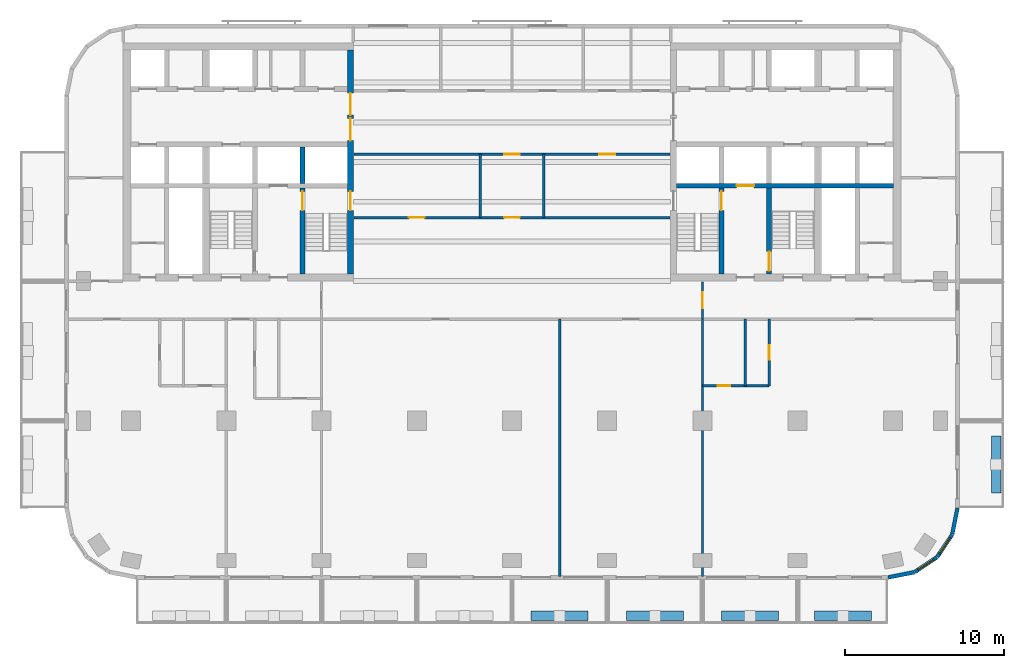
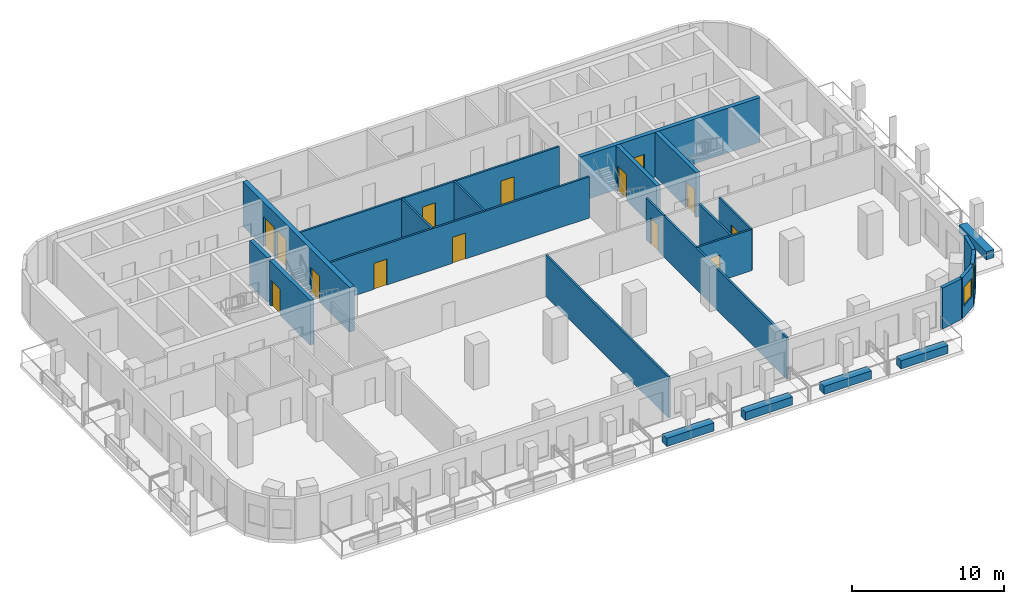
# One storey, part 4 of 11: 25 walls, 14 doors, 2 windows, 16 openings.
"""IFC4 building model written with IfcOpenShell, lengths in metres."""

import ifcopenshell
import ifcopenshell.guid

model = None  # the IFC model being written
_history = None  # IfcOwnerHistory: only IFC2X3 demands one
_inside = {}  # id of a spatial element -> (the spatial element, [elements in it])
_under = {}  # id of a project, library or spatial element -> (it, [spatial elements below it])
_declared = {}  # id of a project -> (the project, [libraries it declares])
_typed = {}  # id of a type object -> (the type object, [elements of that type])
_made_of = {}  # id of a material, layer set ... -> (it, [elements and type objects made of it])


def new_model(schema):
    """Start an empty IFC model of exactly this schema.

    Asked for "IFC4X3", IfcOpenShell would pick the latest addendum, in which some entities
    have other attributes; the version numbers below select the first issue.
    IFC2X3 requires an IfcOwnerHistory on every rooted entity: one is made here for all.
    """
    global model, _history
    if schema == "IFC4X3":
        model = ifcopenshell.file(schema_version=(4, 3, 0, 0))
    else:
        model = ifcopenshell.file(schema=schema)
    _inside.clear()
    _under.clear()
    _declared.clear()
    _typed.clear()
    _made_of.clear()
    _history = None
    if model.schema == "IFC2X3":
        org = make("IfcOrganization", Name="unknown")
        user = make(
            "IfcPersonAndOrganization",
            ThePerson=make("IfcPerson", FamilyName="unknown"),
            TheOrganization=org,
        )
        app = make(
            "IfcApplication",
            ApplicationDeveloper=org,
            Version="unknown",
            ApplicationFullName="unknown",
            ApplicationIdentifier="unknown",
        )
        _history = make(
            "IfcOwnerHistory",
            OwningUser=user,
            OwningApplication=app,
            ChangeAction="ADDED",
            CreationDate=0,
        )
    return model


def make(cls, **values):
    """One entity of the class cls with the attributes given. An attribute that is None is left unset."""
    return model.create_entity(
        cls, **{name: value for name, value in values.items() if value is not None}
    )


def rooted(cls, **values):
    """An entity with a GlobalId (a new one), such as an element, a storey or a relation."""
    return make(cls, GlobalId=ifcopenshell.guid.new(), OwnerHistory=_history, **values)


def si_unit(unit_type, name, prefix=None):
    """IfcSIUnit, for example si_unit("LENGTHUNIT", "METRE", prefix="MILLI")."""
    return make("IfcSIUnit", UnitType=unit_type, Prefix=prefix, Name=name)


def assignment(units):
    """IfcUnitAssignment: the units of a project."""
    return None if units is None else make("IfcUnitAssignment", Units=units)


def point(xyz):
    """IfcCartesianPoint."""
    return None if xyz is None else make("IfcCartesianPoint", Coordinates=xyz)


def direction(xyz):
    """IfcDirection."""
    return None if xyz is None else make("IfcDirection", DirectionRatios=xyz)


def frame(location, z_axis=None, x_axis=None):
    """IfcAxis2Placement3D, a coordinate frame: its origin and axes. An axis left out is left unset."""
    return make(
        "IfcAxis2Placement3D",
        Location=point(location),
        Axis=direction(z_axis),
        RefDirection=direction(x_axis),
    )


def frame_2d(location, x_axis=None):
    """IfcAxis2Placement2D, a coordinate frame in the plane: its origin and x axis."""
    return make(
        "IfcAxis2Placement2D", Location=point(location), RefDirection=direction(x_axis)
    )


def origin():
    """The frame at (0, 0, 0) with its axes left unset."""
    return frame((0.0, 0.0, 0.0))


def place(relative_to, where):
    """IfcLocalPlacement: puts the frame where relative to a parent placement (None: the world)."""
    return make(
        "IfcLocalPlacement", PlacementRelTo=relative_to, RelativePlacement=where
    )


def context(
    kind, dimensions, precision=None, world=None, true_north=None, identifier=None
):
    """IfcGeometricRepresentationContext, for example the 3D "Model" context."""
    return make(
        "IfcGeometricRepresentationContext",
        ContextIdentifier=identifier,
        ContextType=kind,
        CoordinateSpaceDimension=dimensions,
        Precision=precision,
        WorldCoordinateSystem=world,
        TrueNorth=true_north,
    )


def subcontext(parent, identifier, kind, view, scale=None):
    """IfcGeometricRepresentationSubContext, for example "Body" below "Model"."""
    return make(
        "IfcGeometricRepresentationSubContext",
        ContextIdentifier=identifier,
        ContextType=kind,
        ParentContext=parent,
        TargetScale=scale,
        TargetView=view,
    )


def project(units=None, contexts=None):
    """IfcProject with its units and contexts."""
    return rooted(
        "IfcProject",
        Name="project",
        RepresentationContexts=contexts,
        UnitsInContext=assignment(units),
    )


def spatial(cls, under=None, at=None, **own):
    """A site, building, storey or space (cls), placed at a placement, below another one or the project."""
    s = rooted(cls, ObjectPlacement=at, **own)
    if under is not None:
        _under.setdefault(under.id(), (under, []))[1].append(s)
    return s


def profile(cls, at=None, kind="AREA", **sizes):
    """A parametric profile (cls). Its sizes go by their IFC names, for example OverallWidth=200.0."""
    return make(cls, ProfileType=kind, Position=at, **sizes)


def rectangle(**sizes):
    """IfcRectangleProfileDef."""
    return profile("IfcRectangleProfileDef", **sizes)


def extrude(swept, where, along, depth):
    """IfcExtrudedAreaSolid: the profile swept, set in the frame where, extruded along a direction by depth."""
    return make(
        "IfcExtrudedAreaSolid",
        SweptArea=swept,
        Position=where,
        ExtrudedDirection=direction(along),
        Depth=depth,
    )


def shape(context_of_items, identifier, shape_type, items):
    """IfcShapeRepresentation: the items that make up one representation, for example the "Body"."""
    return make(
        "IfcShapeRepresentation",
        ContextOfItems=context_of_items,
        RepresentationIdentifier=identifier,
        RepresentationType=shape_type,
        Items=items,
    )


def material(Name=None, Category=None):
    """IfcMaterial."""
    return make("IfcMaterial", Name=Name, Category=Category)


def layer(
    of_material, thickness, ventilated=None, Name=None, Category=None, Priority=None
):
    """IfcMaterialLayer: one layer of a wall or slab, of a material (None: an air gap)."""
    return make(
        "IfcMaterialLayer",
        Material=of_material,
        LayerThickness=thickness,
        IsVentilated=ventilated,
        Name=Name,
        Category=Category,
        Priority=Priority,
    )


def layer_set(layers, Name=None):
    """IfcMaterialLayerSet."""
    return make("IfcMaterialLayerSet", MaterialLayers=layers, LayerSetName=Name)


def made_of(thing, what):
    """Note that an element or type object is made of a material, layer set ...; save() writes the relation."""
    if what is not None:
        _made_of.setdefault(what.id(), (what, []))[1].append(thing)
    return thing


def type_object(cls, material=None, **own):
    """A type object (cls), such as IfcWallType, which elements share."""
    return made_of(rooted(cls, **own), material)


def element(
    cls,
    number,
    at=None,
    inside=None,
    cuts=None,
    type_object=None,
    material=None,
    context=None,
    identifier="Body",
    shape_type=None,
    held_by="IfcProductDefinitionShape",
    body=None,
    shapes=None,
    **own,
):
    """One element of the class cls, such as IfcWall. Its Tag is "e" and its number.

    at: its placement. inside: the storey or other place that contains it. cuts: it is an
    opening in that element (IfcRelVoidsElement). A single representation is given by context,
    identifier, shape_type and body (its items); several are given by shapes. held_by: the class
    of the entity that holds the representations. save() writes the other relations.
    """
    e = rooted(cls, Tag="e%d" % number, ObjectPlacement=at, **own)
    if body is not None:
        shapes = [shape(context, identifier, shape_type, body)]
    if shapes is not None:
        e.Representation = make(held_by, Representations=shapes)
    if inside is not None:
        _inside.setdefault(inside.id(), (inside, []))[1].append(e)
    if cuts is not None:
        rooted(
            "IfcRelVoidsElement", RelatingBuildingElement=cuts, RelatedOpeningElement=e
        )
    if type_object is not None:
        _typed.setdefault(type_object.id(), (type_object, []))[1].append(e)
    return made_of(e, material)


def fill(opening, filler):
    """IfcRelFillsElement: the door or window that sits in an opening."""
    return rooted(
        "IfcRelFillsElement",
        RelatingOpeningElement=opening,
        RelatedBuildingElement=filler,
    )


def aggregate(whole, parts):
    """IfcRelAggregates: a whole, such as a stair, and the parts it consists of."""
    return rooted("IfcRelAggregates", RelatingObject=whole, RelatedObjects=parts)


def save(model, path):
    """Write the relations noted so far, then the file.

    IfcRelAggregates (storeys below a building ...), IfcRelContainedInSpatialStructure (elements
    in a storey), IfcRelDefinesByType, IfcRelAssociatesMaterial and IfcRelDeclares: one each for
    every whole, place, type object, material and project.
    """
    for whole, parts in _under.values():
        aggregate(whole, parts)
    for where, things in _inside.values():
        rooted(
            "IfcRelContainedInSpatialStructure",
            RelatedElements=things,
            RelatingStructure=where,
        )
    for kind, things in _typed.values():
        rooted("IfcRelDefinesByType", RelatedObjects=things, RelatingType=kind)
    for what, things in _made_of.values():
        rooted("IfcRelAssociatesMaterial", RelatedObjects=things, RelatingMaterial=what)
    for by, libraries in _declared.values():
        rooted("IfcRelDeclares", RelatingContext=by, RelatedDefinitions=libraries)
    model.write(path)


model = new_model("IFC4")

# Units and contexts
model_context = context("Model", 3, precision=1e-05, world=origin(), true_north=direction((0.0, 1.0)))
body_context = subcontext(model_context, "Body", "Model", "MODEL_VIEW")
ifc_project = project(units=[si_unit("LENGTHUNIT", "METRE"), si_unit("AREAUNIT", "SQUARE_METRE"), si_unit("VOLUMEUNIT", "CUBIC_METRE"), si_unit("PLANEANGLEUNIT", "RADIAN"), si_unit("MASSUNIT", "GRAM", prefix="KILO")], contexts=[model_context])

# Site, building, storey
site_placement = place(None, origin())
site = spatial("IfcSite", under=ifc_project, at=site_placement, CompositionType="ELEMENT")
building_placement = place(site_placement, origin())
building = spatial("IfcBuilding", under=site, at=building_placement, Name="Torana Hotel and Residences", CompositionType="ELEMENT")
storey_placement = place(building_placement, frame((0.0, 0.0, 174.0)))
storey = spatial("IfcBuildingStorey", under=building, at=storey_placement, Name="L45", CompositionType="ELEMENT", Elevation=174.0)

# Wall
ifc_material_1 = material(Name="Concrete C70/85", Category="concrete")
ifc_layer_1 = layer(ifc_material_1, 0.300048828125)
ifc_layer_set_1 = layer_set([ifc_layer_1], Name="CORE WALL 300 C70/85")
wall_type_1 = type_object("IfcWallType", Name="CORE WALL 300 C70/85", PredefinedType="SHEAR", material=ifc_layer_set_1)
wall_1_placement = place(storey_placement, frame((-13.199951171875, -8.85009765625, 0.0), z_axis=(0.0, 0.0, 1.0), x_axis=(0.0, 1.0, 0.0)))
element("IfcWall", 1, at=wall_1_placement, inside=storey, type_object=wall_type_1, Name="Core wall W x3.05-S", PredefinedType="SHEAR", context=body_context, shape_type="SweptSolid", body=[
    extrude(rectangle(XDim=2.300048828125, YDim=0.300048828125, at=frame_2d((1.14990234375, 0.0))), origin(), (0.0, 0.0, 1.0), 3.60009765625),
])

# Wall, opening, door
wall_2_placement = place(storey_placement, frame((-13.199951171875, -14.550048828125, 0.0), z_axis=(0.0, 0.0, 1.0), x_axis=(0.0, 1.0, 0.0)))
wall_2 = element("IfcWall", 2, at=wall_2_placement, inside=storey, type_object=wall_type_1, Name="Core wall W x3.05-band", PredefinedType="SHEAR", context=body_context, shape_type="SweptSolid", body=[
    extrude(rectangle(XDim=5.400146484375, YDim=0.300048828125, at=frame_2d((2.7001953125, 0.0))), origin(), (0.0, 0.0, 1.0), 3.60009765625),
])
opening_1_placement = place(wall_2_placement, frame((4.0, 0.0, 0.0)))
opening_1 = element("IfcOpeningElement", 3, at=opening_1_placement, cuts=wall_2, Name="Opening L45-13", PredefinedType="OPENING", context=body_context, shape_type="SweptSolid", body=[
    extrude(rectangle(XDim=1.199951171875, YDim=2.10009765625, at=frame_2d((0.60009765625, 1.050048828125))), frame((0.0, 0.159912109375, 0.0), z_axis=(0.0, -1.0, 0.0), x_axis=(1.0, 0.0, 0.0)), (0.0, 0.0, 1.0), 0.320068359375),
])
ifc_material_2 = material(Name="Steel S235", Category="steel")
door_type_1 = type_object("IfcDoorType", Name="STAIR FIRE DOOR D3 1200x2100", OperationType="SINGLE_SWING_LEFT", PredefinedType="DOOR", material=ifc_material_2)
door_1_placement = place(opening_1_placement, frame((0.60009765625, 0.0, 0.0), z_axis=(0.0, 0.0, 1.0), x_axis=(-1.0, 0.0, 0.0)))
door_1 = element("IfcDoor", 4, at=door_1_placement, inside=storey, type_object=door_type_1, Name="Stair-A-lobby door L45", OperationType="SINGLE_SWING_RIGHT", OverallHeight=2.10009765625, OverallWidth=1.199951171875, PredefinedType="DOOR", context=body_context, shape_type="SweptSolid", body=[
    extrude(rectangle(XDim=1.199951171875, YDim=2.10009765625, at=frame_2d((0.0, 1.050048828125))), frame((0.0, -0.02490234375, 0.0), z_axis=(0.0, 1.0, 0.0), x_axis=(-1.0, 0.0, 0.0)), (0.0, 0.0, 1.0), 0.050048828125),
])
fill(opening_1, door_1)

wall_3_placement = place(storey_placement, frame((10.35009765625, -9.0, 0.0), z_axis=(0.0, 0.0, 1.0), x_axis=(1.0, 0.0, 0.0)))
wall_3 = element("IfcWall", 5, at=wall_3_placement, inside=storey, type_object=wall_type_1, Name="Core wall E band", PredefinedType="SHEAR", context=body_context, shape_type="SweptSolid", body=[
    extrude(rectangle(XDim=13.699951171875, YDim=0.300048828125, at=frame_2d((6.85009765625, 0.0))), origin(), (0.0, 0.0, 1.0), 3.60009765625),
])
opening_2_placement = place(wall_3_placement, frame((3.800048828125, 0.0, 0.0)))
opening_2 = element("IfcOpeningElement", 6, at=opening_2_placement, cuts=wall_3, Name="Opening LD", PredefinedType="OPENING", context=body_context, shape_type="SweptSolid", body=[
    extrude(rectangle(XDim=1.10009765625, YDim=2.10009765625, at=frame_2d((0.550048828125, 1.050048828125))), frame((0.0, 0.159912109375, 0.0), z_axis=(0.0, -1.0, 0.0), x_axis=(1.0, 0.0, 0.0)), (0.0, 0.0, 1.0), 0.320068359375),
])
ifc_material_3 = material(Name="Stainless steel 316", Category="steel")
door_type_2 = type_object("IfcDoorType", Name="LIFT LANDING DOOR LD 1100x2100", OperationType="DOUBLE_DOOR_SLIDING", PredefinedType="USERDEFINED", material=ifc_material_3)
door_2_placement = place(opening_2_placement, origin())
door_2 = element("IfcDoor", 7, at=door_2_placement, inside=storey, type_object=door_type_2, Name="Lift landing door FF2 L45", ObjectType="LIFT LANDING DOOR", OperationType="DOUBLE_DOOR_SLIDING", OverallHeight=2.10009765625, OverallWidth=1.10009765625, PredefinedType="USERDEFINED", context=body_context, shape_type="SweptSolid", body=[
    extrude(rectangle(XDim=1.10009765625, YDim=2.10009765625, at=frame_2d((0.550048828125, 1.050048828125))), frame((0.0, 0.02490234375, 0.0), z_axis=(0.0, -1.0, 0.0), x_axis=(1.0, 0.0, 0.0)), (0.0, 0.0, 1.0), 0.050048828125),
])
fill(opening_2, door_2)

wall_4_placement = place(storey_placement, frame((13.199951171875, -14.550048828125, 0.0), z_axis=(0.0, 0.0, 1.0), x_axis=(0.0, 1.0, 0.0)))
wall_4 = element("IfcWall", 8, at=wall_4_placement, inside=storey, type_object=wall_type_1, Name="Core wall E x3.05-band", PredefinedType="SHEAR", context=body_context, shape_type="SweptSolid", body=[
    extrude(rectangle(XDim=5.400146484375, YDim=0.300048828125, at=frame_2d((2.7001953125, 0.0))), origin(), (0.0, 0.0, 1.0), 3.60009765625),
])
opening_3_placement = place(wall_4_placement, frame((4.0, 0.0, 0.0)))
opening_3 = element("IfcOpeningElement", 9, at=opening_3_placement, cuts=wall_4, Name="Opening L45-27", PredefinedType="OPENING", context=body_context, shape_type="SweptSolid", body=[
    extrude(rectangle(XDim=1.199951171875, YDim=2.10009765625, at=frame_2d((0.60009765625, 1.050048828125))), frame((0.0, 0.159912109375, 0.0), z_axis=(0.0, -1.0, 0.0), x_axis=(1.0, 0.0, 0.0)), (0.0, 0.0, 1.0), 0.320068359375),
])
door_3_placement = place(opening_3_placement, origin())
door_3 = element("IfcDoor", 10, at=door_3_placement, inside=storey, type_object=door_type_1, Name="Stair-A-lobby door L45", OperationType="SINGLE_SWING_LEFT", OverallHeight=2.10009765625, OverallWidth=1.199951171875, PredefinedType="DOOR", context=body_context, shape_type="SweptSolid", body=[
    extrude(rectangle(XDim=1.199951171875, YDim=2.10009765625, at=frame_2d((0.60009765625, 1.050048828125))), frame((0.0, 0.02490234375, 0.0), z_axis=(0.0, -1.0, 0.0), x_axis=(1.0, 0.0, 0.0)), (0.0, 0.0, 1.0), 0.050048828125),
])
fill(opening_3, door_3)

wall_5_placement = place(storey_placement, frame((16.199951171875, -14.550048828125, 0.0), z_axis=(0.0, 0.0, 1.0), x_axis=(0.0, 1.0, 0.0)))
wall_5 = element("IfcWall", 11, at=wall_5_placement, inside=storey, type_object=wall_type_1, Name="Core wall E x6.05-band", PredefinedType="SHEAR", context=body_context, shape_type="SweptSolid", body=[
    extrude(rectangle(XDim=5.400146484375, YDim=0.300048828125, at=frame_2d((2.7001953125, 0.0))), origin(), (0.0, 0.0, 1.0), 3.60009765625),
])
opening_4_placement = place(wall_5_placement, frame((0.199951171875, 0.0, 0.0)))
opening_4 = element("IfcOpeningElement", 12, at=opening_4_placement, cuts=wall_5, Name="Opening L45-28", PredefinedType="OPENING", context=body_context, shape_type="SweptSolid", body=[
    extrude(rectangle(XDim=1.199951171875, YDim=2.10009765625, at=frame_2d((0.60009765625, 1.050048828125))), frame((0.0, 0.159912109375, 0.0), z_axis=(0.0, -1.0, 0.0), x_axis=(1.0, 0.0, 0.0)), (0.0, 0.0, 1.0), 0.320068359375),
])
door_4_placement = place(opening_4_placement, frame((0.60009765625, 0.0, 0.0), z_axis=(0.0, 0.0, 1.0), x_axis=(-1.0, 0.0, 0.0)))
door_4 = element("IfcDoor", 13, at=door_4_placement, inside=storey, type_object=door_type_1, Name="Stair-B-lobby door L45", OperationType="SINGLE_SWING_LEFT", OverallHeight=2.10009765625, OverallWidth=1.199951171875, PredefinedType="DOOR", context=body_context, shape_type="SweptSolid", body=[
    extrude(rectangle(XDim=1.199951171875, YDim=2.10009765625, at=frame_2d((0.0, 1.050048828125))), frame((0.0, -0.02490234375, 0.0), z_axis=(0.0, 1.0, 0.0), x_axis=(-1.0, 0.0, 0.0)), (0.0, 0.0, 1.0), 0.050048828125),
])
fill(opening_4, door_4)

# Wall, openings, doors
ifc_material_4 = material(Name="Concrete C70/85", Category="concrete")
ifc_layer_2 = layer(ifc_material_4, 0.35009765625)
ifc_layer_set_2 = layer_set([ifc_layer_2], Name="CORE WALL 350 C70/85")
wall_type_2 = type_object("IfcWallType", Name="CORE WALL 350 C70/85", PredefinedType="SHEAR", material=ifc_layer_set_2)
wall_6_placement = place(storey_placement, frame((-10.175048828125, -14.550048828125, 0.0), z_axis=(0.0, 0.0, 1.0), x_axis=(0.0, 1.0, 0.0)))
wall_6 = element("IfcWall", 14, at=wall_6_placement, inside=storey, type_object=wall_type_2, Name="Core wall W arch", PredefinedType="SHEAR", context=body_context, shape_type="SweptSolid", body=[
    extrude(rectangle(XDim=14.10009765625, YDim=0.35009765625, at=frame_2d((7.050048828125, 0.0))), origin(), (0.0, 0.0, 1.0), 3.60009765625),
])
opening_5_placement = place(wall_6_placement, frame((8.39990234375, 0.0, 0.0)))
opening_5 = element("IfcOpeningElement", 15, at=opening_5_placement, cuts=wall_6, Name="Opening L45-01", PredefinedType="OPENING", context=body_context, shape_type="SweptSolid", body=[
    extrude(rectangle(XDim=1.39990234375, YDim=2.39990234375, at=frame_2d((0.699951171875, 1.199951171875))), frame((0.0, 0.18505859375, 0.0), z_axis=(0.0, -1.0, 0.0), x_axis=(1.0, 0.0, 0.0)), (0.0, 0.0, 1.0), 0.3701171875),
])
opening_6_placement = place(wall_6_placement, frame((10.0, 0.0, 0.0)))
opening_6 = element("IfcOpeningElement", 16, at=opening_6_placement, cuts=wall_6, Name="Opening L45-02", PredefinedType="OPENING", context=body_context, shape_type="SweptSolid", body=[
    extrude(rectangle(XDim=1.39990234375, YDim=2.39990234375, at=frame_2d((0.699951171875, 1.199951171875))), frame((0.0, 0.18505859375, 0.0), z_axis=(0.0, -1.0, 0.0), x_axis=(1.0, 0.0, 0.0)), (0.0, 0.0, 1.0), 0.3701171875),
])
opening_7_placement = place(wall_6_placement, frame((4.0, 0.0, 0.0)))
opening_7 = element("IfcOpeningElement", 17, at=opening_7_placement, cuts=wall_6, Name="Opening L45-03", PredefinedType="OPENING", context=body_context, shape_type="SweptSolid", body=[
    extrude(rectangle(XDim=1.199951171875, YDim=2.10009765625, at=frame_2d((0.60009765625, 1.050048828125))), frame((0.0, 0.18505859375, 0.0), z_axis=(0.0, -1.0, 0.0), x_axis=(1.0, 0.0, 0.0)), (0.0, 0.0, 1.0), 0.3701171875),
])
ifc_material_5 = material(Name="Steel S235", Category="steel")
door_type_3 = type_object("IfcDoorType", Name="LOBBY FIRE DOOR D4 1400x2400", OperationType="DOUBLE_DOOR_SINGLE_SWING", PredefinedType="DOOR", material=ifc_material_5)
door_5_placement = place(opening_5_placement, origin())
door_5 = element("IfcDoor", 18, at=door_5_placement, inside=storey, type_object=door_type_3, Name="Lobby-1 door L45", OperationType="DOUBLE_DOOR_SINGLE_SWING", OverallHeight=2.39990234375, OverallWidth=1.39990234375, PredefinedType="DOOR", context=body_context, shape_type="SweptSolid", body=[
    extrude(rectangle(XDim=1.39990234375, YDim=2.39990234375, at=frame_2d((0.699951171875, 1.199951171875))), frame((0.0, 0.02490234375, 0.0), z_axis=(0.0, -1.0, 0.0), x_axis=(1.0, 0.0, 0.0)), (0.0, 0.0, 1.0), 0.050048828125),
])
fill(opening_5, door_5)
door_6_placement = place(opening_6_placement, origin())
door_6 = element("IfcDoor", 19, at=door_6_placement, inside=storey, type_object=door_type_3, Name="Lobby-2 door L45", OperationType="DOUBLE_DOOR_SINGLE_SWING", OverallHeight=2.39990234375, OverallWidth=1.39990234375, PredefinedType="DOOR", context=body_context, shape_type="SweptSolid", body=[
    extrude(rectangle(XDim=1.39990234375, YDim=2.39990234375, at=frame_2d((0.699951171875, 1.199951171875))), frame((0.0, 0.02490234375, 0.0), z_axis=(0.0, -1.0, 0.0), x_axis=(1.0, 0.0, 0.0)), (0.0, 0.0, 1.0), 0.050048828125),
])
fill(opening_6, door_6)
door_7_placement = place(opening_7_placement, origin())
door_7 = element("IfcDoor", 20, at=door_7_placement, inside=storey, type_object=door_type_1, Name="Stair-A door L45", OperationType="SINGLE_SWING_LEFT", OverallHeight=2.10009765625, OverallWidth=1.199951171875, PredefinedType="DOOR", context=body_context, shape_type="SweptSolid", body=[
    extrude(rectangle(XDim=1.199951171875, YDim=2.10009765625, at=frame_2d((0.60009765625, 1.050048828125))), frame((0.0, 0.02490234375, 0.0), z_axis=(0.0, -1.0, 0.0), x_axis=(1.0, 0.0, 0.0)), (0.0, 0.0, 1.0), 0.050048828125),
])
fill(opening_7, door_7)

# Wall
ifc_material_6 = material(Name="Black aluminium composite panel", Category="aluminium")
ifc_layer_3 = layer(ifc_material_6, 0.00390625, Name="Cladding", Category="cladding")
ifc_material_7 = material(Name="Ventilated air cavity")
ifc_layer_4 = layer(ifc_material_7, 0.0400390625, Name="Ventilated cavity", Category="cavity")
ifc_material_8 = material(Name="Mineral wool insulation")
ifc_layer_5 = layer(ifc_material_8, 0.090087890625, Name="Insulation", Category="insulation")
ifc_material_9 = material(Name="Steel S280GD", Category="steel")
ifc_layer_6 = layer(ifc_material_9, 0.092041015625, Name="Steel stud frame", Category="structure")
ifc_material_10 = material(Name="Fire rated plasterboard")
ifc_layer_7 = layer(ifc_material_10, 0.011962890625, Name="Inner board", Category="finish")
ifc_layer_8 = layer(ifc_material_10, 0.011962890625, Name="Second board", Category="finish")
ifc_layer_set_3 = layer_set([ifc_layer_3, ifc_layer_4, ifc_layer_5, ifc_layer_6, ifc_layer_7, ifc_layer_8], Name="EW1 EXTERNAL WALL BLACK METAL CLAD 250")
wall_type_3 = type_object("IfcWallType", Name="EW1 EXTERNAL WALL BLACK METAL CLAD 250", PredefinedType="SOLIDWALL", material=ifc_layer_set_3)
wall_7_placement = place(storey_placement, frame((23.69970703125, -33.672607421875, 0.0), z_axis=(0.0, 0.0, 1.0), x_axis=(0.980775640221, 0.19513878023, 0.0)))
element("IfcWall", 21, at=wall_7_placement, inside=storey, type_object=wall_type_3, Name="External wall L45 e0.15", PredefinedType="SOLIDWALL", context=body_context, shape_type="SweptSolid", body=[
    extrude(rectangle(XDim=1.681396484375, YDim=0.25, at=frame_2d((0.8408203125, 0.0))), origin(), (0.0, 0.0, 1.0), 3.300048828125),
])

# Wall, opening, window
wall_8_placement = place(storey_placement, frame((25.39404296875, -33.325927734375, 0.0), z_axis=(0.0, 0.0, 1.0), x_axis=(0.831482937015, 0.55555029066, 0.0)))
wall_8 = element("IfcWall", 22, at=wall_8_placement, inside=storey, type_object=wall_type_3, Name="External wall L45 e0.16", PredefinedType="SOLIDWALL", context=body_context, shape_type="SweptSolid", body=[
    extrude(rectangle(XDim=1.65625, YDim=0.25, at=frame_2d((0.828125, 0.0))), origin(), (0.0, 0.0, 1.0), 3.300048828125),
])
opening_8_placement = place(wall_8_placement, frame((0.228271484375, 0.0, 0.89990234375)))
opening_8 = element("IfcOpeningElement", 23, at=opening_8_placement, cuts=wall_8, Name="Opening W5", PredefinedType="OPENING", context=body_context, shape_type="SweptSolid", body=[
    extrude(rectangle(XDim=1.199951171875, YDim=1.5, at=frame_2d((0.60009765625, 0.75))), frame((0.0, 0.135009765625, 0.0), z_axis=(0.0, -1.0, 0.0), x_axis=(1.0, 0.0, 0.0)), (0.0, 0.0, 1.0), 0.27001953125),
])
ifc_material_11 = material(Name="Dark glass in black aluminium frame", Category="aluminium")
window_type = type_object("IfcWindowType", Name="W5 CORNER FACET WINDOW 1200x1500", PartitioningType="SINGLE_PANEL", PredefinedType="WINDOW", material=ifc_material_11)
window_1_placement = place(opening_8_placement, origin())
window_1 = element("IfcWindow", 24, at=window_1_placement, inside=storey, type_object=window_type, Name="Window L45 e0.16", OverallHeight=1.5, OverallWidth=1.199951171875, PartitioningType="SINGLE_PANEL", PredefinedType="WINDOW", context=body_context, shape_type="SweptSolid", body=[
    extrude(rectangle(XDim=1.199951171875, YDim=1.5, at=frame_2d((0.60009765625, 0.75))), frame((0.0, 0.030029296875, 0.0), z_axis=(0.0, -1.0, 0.0), x_axis=(1.0, 0.0, 0.0)), (0.0, 0.0, 1.0), 0.06005859375),
])
fill(opening_8, window_1)

wall_9_placement = place(storey_placement, frame((26.8056640625, -32.37109375, 0.0), z_axis=(0.0, 0.0, 1.0), x_axis=(0.55555029066, 0.831482937015, 0.0)))
wall_9 = element("IfcWall", 25, at=wall_9_placement, inside=storey, type_object=wall_type_3, Name="External wall L45 e0.17", PredefinedType="SOLIDWALL", context=body_context, shape_type="SweptSolid", body=[
    extrude(rectangle(XDim=1.65625, YDim=0.25, at=frame_2d((0.828125, 0.0))), origin(), (0.0, 0.0, 1.0), 3.300048828125),
])
opening_9_placement = place(wall_9_placement, frame((0.228271484375, 0.0, 0.89990234375)))
opening_9 = element("IfcOpeningElement", 26, at=opening_9_placement, cuts=wall_9, Name="Opening W5", PredefinedType="OPENING", context=body_context, shape_type="SweptSolid", body=[
    extrude(rectangle(XDim=1.199951171875, YDim=1.5, at=frame_2d((0.60009765625, 0.75))), frame((0.0, 0.135009765625, 0.0), z_axis=(0.0, -1.0, 0.0), x_axis=(1.0, 0.0, 0.0)), (0.0, 0.0, 1.0), 0.27001953125),
])
window_2_placement = place(opening_9_placement, origin())
window_2 = element("IfcWindow", 27, at=window_2_placement, inside=storey, type_object=window_type, Name="Window L45 e0.17", OverallHeight=1.5, OverallWidth=1.199951171875, PartitioningType="SINGLE_PANEL", PredefinedType="WINDOW", context=body_context, shape_type="SweptSolid", body=[
    extrude(rectangle(XDim=1.199951171875, YDim=1.5, at=frame_2d((0.60009765625, 0.75))), frame((0.0, 0.030029296875, 0.0), z_axis=(0.0, -1.0, 0.0), x_axis=(1.0, 0.0, 0.0)), (0.0, 0.0, 1.0), 0.06005859375),
])
fill(opening_9, window_2)

# Wall
wall_10_placement = place(storey_placement, frame((27.74462890625, -30.948974609375, 0.0), z_axis=(0.0, 0.0, 1.0), x_axis=(0.194999110559, 0.980803419081, 0.0)))
element("IfcWall", 28, at=wall_10_placement, inside=storey, type_object=wall_type_3, Name="External wall L45 e0.18", PredefinedType="SOLIDWALL", context=body_context, shape_type="SweptSolid", body=[
    extrude(rectangle(XDim=1.681396484375, YDim=0.25, at=frame_2d((0.8408203125, 0.0))), origin(), (0.0, 0.0, 1.0), 3.300048828125),
])

# Wall, opening, door
ifc_material_12 = material(Name="Gypsum plaster")
ifc_layer_9 = layer(ifc_material_12, 0.014892578125, Name="Plaster", Category="finish")
ifc_material_13 = material(Name="Concrete blockwork", Category="masonry")
ifc_layer_10 = layer(ifc_material_13, 0.1201171875, Name="Blockwork", Category="structure")
ifc_layer_11 = layer(ifc_material_12, 0.014892578125, Name="Plaster", Category="finish")
ifc_layer_set_4 = layer_set([ifc_layer_9, ifc_layer_10, ifc_layer_11], Name="FIRE PARTITION 150 BLOCKWORK")
wall_type_4 = type_object("IfcWallType", Name="FIRE PARTITION 150 BLOCKWORK", PredefinedType="PARTITIONING", material=ifc_layer_set_4)
wall_11_placement = place(storey_placement, frame((12.0, -17.39990234375, 0.0), z_axis=(0.0, 0.0, 1.0), x_axis=(0.0, 1.0, 0.0)))
wall_11 = element("IfcWall", 29, at=wall_11_placement, inside=storey, type_object=wall_type_4, Name="Partition L45", PredefinedType="PARTITIONING", context=body_context, shape_type="SweptSolid", body=[
    extrude(rectangle(XDim=2.349853515625, YDim=0.14990234375, at=frame_2d((1.1748046875, 0.0))), origin(), (0.0, 0.0, 1.0), 3.320068359375),
])
opening_10_placement = place(wall_11_placement, frame((0.699951171875, 0.0, 0.0)))
opening_10 = element("IfcOpeningElement", 30, at=opening_10_placement, cuts=wall_11, Name="Opening L45-35", PredefinedType="OPENING", context=body_context, shape_type="SweptSolid", body=[
    extrude(rectangle(XDim=1.0, YDim=2.10009765625, at=frame_2d((0.5, 1.050048828125))), frame((0.0, 0.0849609375, 0.0), z_axis=(0.0, -1.0, 0.0), x_axis=(1.0, 0.0, 0.0)), (0.0, 0.0, 1.0), 0.169921875),
])
ifc_material_14 = material(Name="Steel S235", Category="steel")
door_type_4 = type_object("IfcDoorType", Name="ENTRY FIRE DOOR D6 1000x2100", OperationType="SINGLE_SWING_LEFT", PredefinedType="DOOR", material=ifc_material_14)
door_8_placement = place(opening_10_placement, origin())
door_8 = element("IfcDoor", 31, at=door_8_placement, inside=storey, type_object=door_type_4, Name="Door L45", OperationType="SINGLE_SWING_RIGHT", OverallHeight=2.10009765625, OverallWidth=1.0, PredefinedType="DOOR", context=body_context, shape_type="SweptSolid", body=[
    extrude(rectangle(XDim=1.0, YDim=2.10009765625, at=frame_2d((0.5, 1.050048828125))), frame((0.0, 0.02490234375, 0.0), z_axis=(0.0, -1.0, 0.0), x_axis=(1.0, 0.0, 0.0)), (0.0, 0.0, 1.0), 0.050048828125),
])
fill(opening_10, door_8)

# Walls
for number, where, z_axis, x_axis, name in (
    (32, (2.0, -11.0, 0.0), (0.0, 0.0, 1.0), (0.0, 1.0, 0.0), "Partition L45"),
    (33, (-2.0, -11.0, 0.0), (0.0, 0.0, 1.0), (0.0, 1.0, 0.0), "Partition L45"),
):
    element("IfcWall", number, at=place(storey_placement, frame(where, z_axis=z_axis, x_axis=x_axis)), inside=storey, type_object=wall_type_4, Name=name, PredefinedType="PARTITIONING", context=body_context, shape_type="SweptSolid", body=[
        extrude(rectangle(XDim=4.0, YDim=0.14990234375, at=frame_2d((2.0, 0.0))), origin(), (0.0, 0.0, 1.0), 3.320068359375),
    ])

# Wall, openings, doors
wall_12_placement = place(storey_placement, frame((-9.949951171875, -11.0, 0.0), z_axis=(0.0, 0.0, 1.0), x_axis=(1.0, 0.0, 0.0)))
wall_12 = element("IfcWall", 34, at=wall_12_placement, inside=storey, type_object=wall_type_4, Name="Partition L45", PredefinedType="PARTITIONING", context=body_context, shape_type="SweptSolid", body=[
    extrude(rectangle(XDim=19.89990234375, YDim=0.14990234375, at=frame_2d((9.949951171875, 0.0))), origin(), (0.0, 0.0, 1.0), 3.320068359375),
])
opening_11_placement = place(wall_12_placement, frame((9.449951171875, 0.0, 0.0)))
opening_11 = element("IfcOpeningElement", 35, at=opening_11_placement, cuts=wall_12, Name="Opening L45-38", PredefinedType="OPENING", context=body_context, shape_type="SweptSolid", body=[
    extrude(rectangle(XDim=1.0, YDim=2.10009765625, at=frame_2d((0.5, 1.050048828125))), frame((0.0, 0.0849609375, 0.0), z_axis=(0.0, -1.0, 0.0), x_axis=(1.0, 0.0, 0.0)), (0.0, 0.0, 1.0), 0.169921875),
])
opening_12_placement = place(wall_12_placement, frame((3.449951171875, 0.0, 0.0)))
opening_12 = element("IfcOpeningElement", 36, at=opening_12_placement, cuts=wall_12, Name="Opening L45-41", PredefinedType="OPENING", context=body_context, shape_type="SweptSolid", body=[
    extrude(rectangle(XDim=1.0, YDim=2.10009765625, at=frame_2d((0.5, 1.050048828125))), frame((0.0, 0.0849609375, 0.0), z_axis=(0.0, -1.0, 0.0), x_axis=(1.0, 0.0, 0.0)), (0.0, 0.0, 1.0), 0.169921875),
])
door_9_placement = place(opening_11_placement, origin())
door_9 = element("IfcDoor", 37, at=door_9_placement, inside=storey, type_object=door_type_4, Name="Door L45", OperationType="SINGLE_SWING_RIGHT", OverallHeight=2.10009765625, OverallWidth=1.0, PredefinedType="DOOR", context=body_context, shape_type="SweptSolid", body=[
    extrude(rectangle(XDim=1.0, YDim=2.10009765625, at=frame_2d((0.5, 1.050048828125))), frame((0.0, 0.02490234375, 0.0), z_axis=(0.0, -1.0, 0.0), x_axis=(1.0, 0.0, 0.0)), (0.0, 0.0, 1.0), 0.050048828125),
])
fill(opening_11, door_9)
door_10_placement = place(opening_12_placement, origin())
door_10 = element("IfcDoor", 38, at=door_10_placement, inside=storey, type_object=door_type_4, Name="Door L45", OperationType="SINGLE_SWING_RIGHT", OverallHeight=2.10009765625, OverallWidth=1.0, PredefinedType="DOOR", context=body_context, shape_type="SweptSolid", body=[
    extrude(rectangle(XDim=1.0, YDim=2.10009765625, at=frame_2d((0.5, 1.050048828125))), frame((0.0, 0.02490234375, 0.0), z_axis=(0.0, -1.0, 0.0), x_axis=(1.0, 0.0, 0.0)), (0.0, 0.0, 1.0), 0.050048828125),
])
fill(opening_12, door_10)

wall_13_placement = place(storey_placement, frame((-9.949951171875, -7.0, 0.0), z_axis=(0.0, 0.0, 1.0), x_axis=(1.0, 0.0, 0.0)))
wall_13 = element("IfcWall", 39, at=wall_13_placement, inside=storey, type_object=wall_type_4, Name="Partition L45", PredefinedType="PARTITIONING", context=body_context, shape_type="SweptSolid", body=[
    extrude(rectangle(XDim=19.89990234375, YDim=0.14990234375, at=frame_2d((9.949951171875, 0.0))), origin(), (0.0, 0.0, 1.0), 3.320068359375),
])
opening_13_placement = place(wall_13_placement, frame((9.449951171875, 0.0, 0.0)))
opening_13 = element("IfcOpeningElement", 40, at=opening_13_placement, cuts=wall_13, Name="Opening L45-42", PredefinedType="OPENING", context=body_context, shape_type="SweptSolid", body=[
    extrude(rectangle(XDim=1.0, YDim=2.10009765625, at=frame_2d((0.5, 1.050048828125))), frame((0.0, 0.0849609375, 0.0), z_axis=(0.0, -1.0, 0.0), x_axis=(1.0, 0.0, 0.0)), (0.0, 0.0, 1.0), 0.169921875),
])
opening_14_placement = place(wall_13_placement, frame((15.449951171875, 0.0, 0.0)))
opening_14 = element("IfcOpeningElement", 41, at=opening_14_placement, cuts=wall_13, Name="Opening L45-43", PredefinedType="OPENING", context=body_context, shape_type="SweptSolid", body=[
    extrude(rectangle(XDim=1.0, YDim=2.10009765625, at=frame_2d((0.5, 1.050048828125))), frame((0.0, 0.0849609375, 0.0), z_axis=(0.0, -1.0, 0.0), x_axis=(1.0, 0.0, 0.0)), (0.0, 0.0, 1.0), 0.169921875),
])
door_11_placement = place(opening_13_placement, origin())
door_11 = element("IfcDoor", 42, at=door_11_placement, inside=storey, type_object=door_type_4, Name="Door L45", OperationType="SINGLE_SWING_RIGHT", OverallHeight=2.10009765625, OverallWidth=1.0, PredefinedType="DOOR", context=body_context, shape_type="SweptSolid", body=[
    extrude(rectangle(XDim=1.0, YDim=2.10009765625, at=frame_2d((0.5, 1.050048828125))), frame((0.0, 0.02490234375, 0.0), z_axis=(0.0, -1.0, 0.0), x_axis=(1.0, 0.0, 0.0)), (0.0, 0.0, 1.0), 0.050048828125),
])
fill(opening_13, door_11)
door_12_placement = place(opening_14_placement, frame((0.5, 0.0, 0.0), z_axis=(0.0, 0.0, 1.0), x_axis=(-1.0, 0.0, 0.0)))
door_12 = element("IfcDoor", 43, at=door_12_placement, inside=storey, type_object=door_type_4, Name="Door L45", OperationType="SINGLE_SWING_LEFT", OverallHeight=2.10009765625, OverallWidth=1.0, PredefinedType="DOOR", context=body_context, shape_type="SweptSolid", body=[
    extrude(rectangle(XDim=1.0, YDim=2.10009765625, at=frame_2d((0.0, 1.050048828125))), frame((0.0, -0.02490234375, 0.0), z_axis=(0.0, 1.0, 0.0), x_axis=(-1.0, 0.0, 0.0)), (0.0, 0.0, 1.0), 0.050048828125),
])
fill(opening_14, door_12)

# Wall, opening, door
ifc_material_15 = material(Name="Gypsum plasterboard")
ifc_layer_12 = layer(ifc_material_15, 0.012451171875, Name="Plasterboard", Category="finish")
ifc_layer_13 = layer(ifc_material_15, 0.012451171875, Name="Plasterboard", Category="finish")
ifc_layer_14 = layer(ifc_material_9, 0.10009765625, Name="Steel studs with mineral wool", Category="insulation")
ifc_layer_15 = layer(ifc_material_15, 0.012451171875, Name="Plasterboard", Category="finish")
ifc_layer_16 = layer(ifc_material_15, 0.012451171875, Name="Plasterboard", Category="finish")
ifc_layer_set_5 = layer_set([ifc_layer_12, ifc_layer_13, ifc_layer_14, ifc_layer_15, ifc_layer_16], Name="PARTITION 150 PLASTERBOARD")
wall_type_5 = type_object("IfcWallType", Name="PARTITION 150 PLASTERBOARD", PredefinedType="PARTITIONING", material=ifc_layer_set_5)
wall_14_placement = place(storey_placement, frame((16.199951171875, -21.60009765625, 0.0), z_axis=(0.0, 0.0, 1.0), x_axis=(0.0, 1.0, 0.0)))
wall_14 = element("IfcWall", 44, at=wall_14_placement, inside=storey, type_object=wall_type_5, Name="Partition L45", PredefinedType="PARTITIONING", context=body_context, shape_type="SweptSolid", body=[
    extrude(rectangle(XDim=4.2001953125, YDim=0.14990234375, at=frame_2d((2.10009765625, 0.0))), origin(), (0.0, 0.0, 1.0), 3.320068359375),
])
opening_15_placement = place(wall_14_placement, frame((1.64990234375, 0.0, 0.0)))
opening_15 = element("IfcOpeningElement", 45, at=opening_15_placement, cuts=wall_14, Name="Opening L45-54", PredefinedType="OPENING", context=body_context, shape_type="SweptSolid", body=[
    extrude(rectangle(XDim=0.89990234375, YDim=2.10009765625, at=frame_2d((0.449951171875, 1.050048828125))), frame((0.0, 0.0849609375, 0.0), z_axis=(0.0, -1.0, 0.0), x_axis=(1.0, 0.0, 0.0)), (0.0, 0.0, 1.0), 0.169921875),
])
ifc_material_16 = material(Name="Timber door, oiled ash", Category="wood")
door_type_5 = type_object("IfcDoorType", Name="ROOM DOOR D7 900x2100", OperationType="SINGLE_SWING_LEFT", PredefinedType="DOOR", material=ifc_material_16)
door_13_placement = place(opening_15_placement, origin())
door_13 = element("IfcDoor", 46, at=door_13_placement, inside=storey, type_object=door_type_5, Name="Door L45", OperationType="SINGLE_SWING_RIGHT", OverallHeight=2.10009765625, OverallWidth=0.89990234375, PredefinedType="DOOR", context=body_context, shape_type="SweptSolid", body=[
    extrude(rectangle(XDim=0.89990234375, YDim=2.10009765625, at=frame_2d((0.449951171875, 1.050048828125))), frame((0.0, 0.02490234375, 0.0), z_axis=(0.0, -1.0, 0.0), x_axis=(1.0, 0.0, 0.0)), (0.0, 0.0, 1.0), 0.050048828125),
])
fill(opening_15, door_13)

# Walls
wall_15_placement = place(storey_placement, frame((14.699951171875, -21.60009765625, 0.0), z_axis=(0.0, 0.0, 1.0), x_axis=(0.0, 1.0, 0.0)))
element("IfcWall", 47, at=wall_15_placement, inside=storey, type_object=wall_type_5, Name="Partition L45", PredefinedType="PARTITIONING", context=body_context, shape_type="SweptSolid", body=[
    extrude(rectangle(XDim=4.2001953125, YDim=0.14990234375, at=frame_2d((2.10009765625, 0.0))), origin(), (0.0, 0.0, 1.0), 3.320068359375),
])
for number, where, z_axis, x_axis, name in (
    (48, (12.0, -33.6201171875, 0.0), (0.0, 0.0, 1.0), (0.0, 1.0, 0.0), "Partition L45"),
    (49, (3.0, -33.6201171875, 0.0), (0.0, 0.0, 1.0), (0.0, 1.0, 0.0), "Partition L45"),
):
    element("IfcWall", number, at=place(storey_placement, frame(where, z_axis=z_axis, x_axis=x_axis)), inside=storey, type_object=wall_type_5, Name=name, PredefinedType="PARTITIONING", context=body_context, shape_type="SweptSolid", body=[
        extrude(rectangle(XDim=16.22021484375, YDim=0.14990234375, at=frame_2d((8.110107421875, 0.0))), origin(), (0.0, 0.0, 1.0), 3.320068359375),
    ])

# Wall, opening, door
wall_16_placement = place(storey_placement, frame((12.0, -21.60009765625, 0.0), z_axis=(0.0, 0.0, 1.0), x_axis=(1.0, 0.0, 0.0)))
wall_16 = element("IfcWall", 50, at=wall_16_placement, inside=storey, type_object=wall_type_5, Name="Partition L45", PredefinedType="PARTITIONING", context=body_context, shape_type="SweptSolid", body=[
    extrude(rectangle(XDim=4.199951171875, YDim=0.14990234375, at=frame_2d((2.10009765625, 0.0))), origin(), (0.0, 0.0, 1.0), 3.320068359375),
])
opening_16_placement = place(wall_16_placement, frame((0.949951171875, 0.0, 0.0)))
opening_16 = element("IfcOpeningElement", 51, at=opening_16_placement, cuts=wall_16, Name="Opening L45-53", PredefinedType="OPENING", context=body_context, shape_type="SweptSolid", body=[
    extrude(rectangle(XDim=0.800048828125, YDim=2.10009765625, at=frame_2d((0.39990234375, 1.050048828125))), frame((0.0, 0.0849609375, 0.0), z_axis=(0.0, -1.0, 0.0), x_axis=(1.0, 0.0, 0.0)), (0.0, 0.0, 1.0), 0.169921875),
])
ifc_material_17 = material(Name="Timber door, painted", Category="wood")
door_type_6 = type_object("IfcDoorType", Name="BATH DOOR D13 800x2100", OperationType="SINGLE_SWING_LEFT", PredefinedType="DOOR", material=ifc_material_17)
door_14_placement = place(opening_16_placement, origin())
door_14 = element("IfcDoor", 52, at=door_14_placement, inside=storey, type_object=door_type_6, Name="Door L45", OperationType="SINGLE_SWING_RIGHT", OverallHeight=2.10009765625, OverallWidth=0.800048828125, PredefinedType="DOOR", context=body_context, shape_type="SweptSolid", body=[
    extrude(rectangle(XDim=0.800048828125, YDim=2.10009765625, at=frame_2d((0.39990234375, 1.050048828125))), frame((0.0, 0.02490234375, 0.0), z_axis=(0.0, -1.0, 0.0), x_axis=(1.0, 0.0, 0.0)), (0.0, 0.0, 1.0), 0.050048828125),
])
fill(opening_16, door_14)

# Walls
ifc_material_18 = material(Name="Concrete C40/50 precast", Category="concrete")
ifc_layer_17 = layer(ifc_material_18, 0.10009765625, Name="Planter shell", Category="structure")
ifc_material_19 = material(Name="Root resistant membrane")
ifc_layer_18 = layer(ifc_material_19, 0.00390625, Name="Waterproofing membrane", Category="membrane")
ifc_material_20 = material(Name="Drainage board with filter fleece")
ifc_layer_19 = layer(ifc_material_20, 0.02001953125, Name="Drainage board", Category="drainage")
ifc_material_21 = material(Name="Growing medium")
ifc_layer_20 = layer(ifc_material_21, 0.47607421875, Name="Planting substrate", Category="soil")
ifc_layer_set_6 = layer_set([ifc_layer_17, ifc_layer_18, ifc_layer_19, ifc_layer_20], Name="PL1 BALCONY PLANTER 600")
wall_type_6 = type_object("IfcWallType", Name="PL1 BALCONY PLANTER 600", PredefinedType="USERDEFINED", material=ifc_layer_set_6)
for number, where, z_axis, x_axis, name in (
    (53, (4.800048828125, -36.10009765625, 0.0), (0.0, 0.0, 1.0), (-1.0, 0.0, 0.0), "Planter 05"),
    (54, (10.800048828125, -36.10009765625, 0.0), (0.0, 0.0, 1.0), (-1.0, 0.0, 0.0), "Planter 06"),
    (55, (16.800048828125, -36.10009765625, 0.0), (0.0, 0.0, 1.0), (-1.0, 0.0, 0.0), "Planter 07"),
):
    element("IfcWall", number, at=place(storey_placement, frame(where, z_axis=z_axis, x_axis=x_axis)), inside=storey, type_object=wall_type_6, Name=name, ObjectType="PLANTER", PredefinedType="USERDEFINED", context=body_context, shape_type="SweptSolid", body=[
        extrude(rectangle(XDim=3.60009765625, YDim=0.60009765625, at=frame_2d((1.800048828125, 0.0))), origin(), (0.0, 0.0, 1.0), 0.64990234375),
    ])
wall_17_placement = place(storey_placement, frame((22.64990234375, -36.10009765625, 0.0), z_axis=(0.0, 0.0, 1.0), x_axis=(-1.0, 0.0, 0.0)))
element("IfcWall", 56, at=wall_17_placement, inside=storey, type_object=wall_type_6, Name="Planter 08", ObjectType="PLANTER", PredefinedType="USERDEFINED", context=body_context, shape_type="SweptSolid", body=[
    extrude(rectangle(XDim=3.599853515625, YDim=0.60009765625, at=frame_2d((1.7998046875, 0.0))), origin(), (0.0, 0.0, 1.0), 0.64990234375),
])
wall_18_placement = place(storey_placement, frame((30.5, -24.75, 0.0), z_axis=(0.0, 0.0, 1.0), x_axis=(0.0, -1.0, 0.0)))
element("IfcWall", 57, at=wall_18_placement, inside=storey, type_object=wall_type_6, Name="Planter 12", ObjectType="PLANTER", PredefinedType="USERDEFINED", context=body_context, shape_type="SweptSolid", body=[
    extrude(rectangle(XDim=3.60009765625, YDim=0.60009765625, at=frame_2d((1.800048828125, 0.0))), origin(), (0.0, 0.0, 1.0), 0.64990234375),
])

save(model, "model.ifc")
